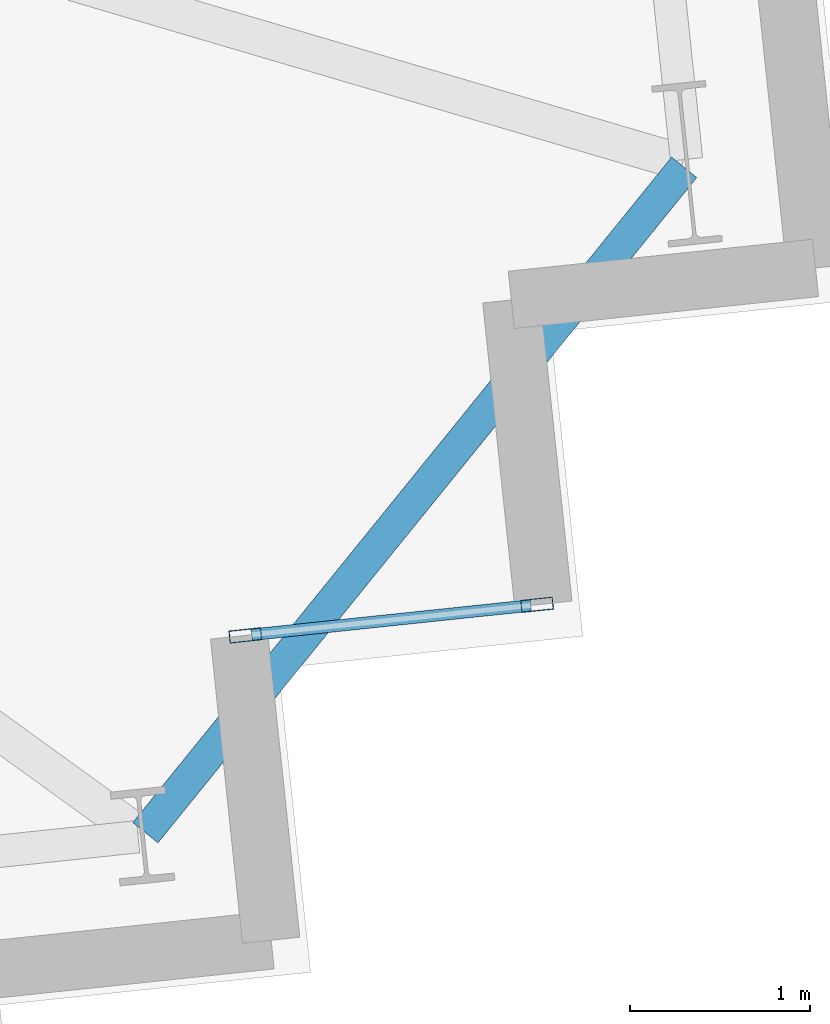
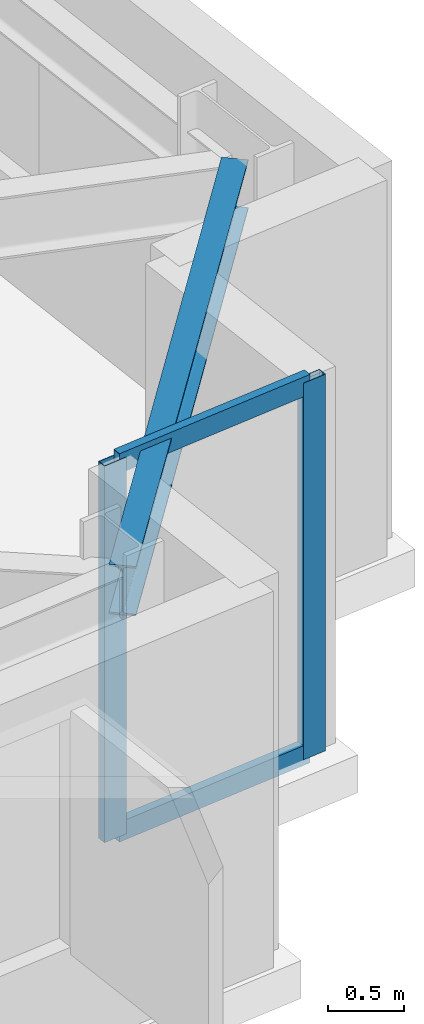
# One storey, part 10 of 22: 4 members, 1 beam, 1 element without a shape of its own.
"""IFC4 building model written with IfcOpenShell, lengths in metres."""

import ifcopenshell
import ifcopenshell.guid

model = None  # the IFC model being written
_history = None  # IfcOwnerHistory: only IFC2X3 demands one
_inside = {}  # id of a spatial element -> (the spatial element, [elements in it])
_under = {}  # id of a project, library or spatial element -> (it, [spatial elements below it])
_declared = {}  # id of a project -> (the project, [libraries it declares])
_typed = {}  # id of a type object -> (the type object, [elements of that type])
_made_of = {}  # id of a material, layer set ... -> (it, [elements and type objects made of it])


def new_model(schema):
    """Start an empty IFC model of exactly this schema.

    Asked for "IFC4X3", IfcOpenShell would pick the latest addendum, in which some entities
    have other attributes; the version numbers below select the first issue.
    IFC2X3 requires an IfcOwnerHistory on every rooted entity: one is made here for all.
    """
    global model, _history
    if schema == "IFC4X3":
        model = ifcopenshell.file(schema_version=(4, 3, 0, 0))
    else:
        model = ifcopenshell.file(schema=schema)
    _inside.clear()
    _under.clear()
    _declared.clear()
    _typed.clear()
    _made_of.clear()
    _history = None
    if model.schema == "IFC2X3":
        org = make("IfcOrganization", Name="unknown")
        user = make(
            "IfcPersonAndOrganization",
            ThePerson=make("IfcPerson", FamilyName="unknown"),
            TheOrganization=org,
        )
        app = make(
            "IfcApplication",
            ApplicationDeveloper=org,
            Version="unknown",
            ApplicationFullName="unknown",
            ApplicationIdentifier="unknown",
        )
        _history = make(
            "IfcOwnerHistory",
            OwningUser=user,
            OwningApplication=app,
            ChangeAction="ADDED",
            CreationDate=0,
        )
    return model


def make(cls, **values):
    """One entity of the class cls with the attributes given. An attribute that is None is left unset."""
    return model.create_entity(
        cls, **{name: value for name, value in values.items() if value is not None}
    )


def rooted(cls, **values):
    """An entity with a GlobalId (a new one), such as an element, a storey or a relation."""
    return make(cls, GlobalId=ifcopenshell.guid.new(), OwnerHistory=_history, **values)


def si_unit(unit_type, name, prefix=None):
    """IfcSIUnit, for example si_unit("LENGTHUNIT", "METRE", prefix="MILLI")."""
    return make("IfcSIUnit", UnitType=unit_type, Prefix=prefix, Name=name)


def assignment(units):
    """IfcUnitAssignment: the units of a project."""
    return None if units is None else make("IfcUnitAssignment", Units=units)


def point(xyz):
    """IfcCartesianPoint."""
    return None if xyz is None else make("IfcCartesianPoint", Coordinates=xyz)


def direction(xyz):
    """IfcDirection."""
    return None if xyz is None else make("IfcDirection", DirectionRatios=xyz)


def frame(location, z_axis=None, x_axis=None):
    """IfcAxis2Placement3D, a coordinate frame: its origin and axes. An axis left out is left unset."""
    return make(
        "IfcAxis2Placement3D",
        Location=point(location),
        Axis=direction(z_axis),
        RefDirection=direction(x_axis),
    )


def frame_2d(location, x_axis=None):
    """IfcAxis2Placement2D, a coordinate frame in the plane: its origin and x axis."""
    return make(
        "IfcAxis2Placement2D", Location=point(location), RefDirection=direction(x_axis)
    )


def origin():
    """The frame at (0, 0, 0) with its axes left unset."""
    return frame((0.0, 0.0, 0.0))


def origin_2d():
    """The frame at (0, 0) in the plane with its x axis left unset."""
    return frame_2d((0.0, 0.0))


def place(relative_to, where):
    """IfcLocalPlacement: puts the frame where relative to a parent placement (None: the world)."""
    return make(
        "IfcLocalPlacement", PlacementRelTo=relative_to, RelativePlacement=where
    )


def context(
    kind, dimensions, precision=None, world=None, true_north=None, identifier=None
):
    """IfcGeometricRepresentationContext, for example the 3D "Model" context."""
    return make(
        "IfcGeometricRepresentationContext",
        ContextIdentifier=identifier,
        ContextType=kind,
        CoordinateSpaceDimension=dimensions,
        Precision=precision,
        WorldCoordinateSystem=world,
        TrueNorth=true_north,
    )


def subcontext(parent, identifier, kind, view, scale=None):
    """IfcGeometricRepresentationSubContext, for example "Body" below "Model"."""
    return make(
        "IfcGeometricRepresentationSubContext",
        ContextIdentifier=identifier,
        ContextType=kind,
        ParentContext=parent,
        TargetScale=scale,
        TargetView=view,
    )


def project(units=None, contexts=None):
    """IfcProject with its units and contexts."""
    return rooted(
        "IfcProject",
        Name="project",
        RepresentationContexts=contexts,
        UnitsInContext=assignment(units),
    )


def spatial(cls, under=None, at=None, **own):
    """A site, building, storey or space (cls), placed at a placement, below another one or the project."""
    s = rooted(cls, ObjectPlacement=at, **own)
    if under is not None:
        _under.setdefault(under.id(), (under, []))[1].append(s)
    return s


def profile(cls, at=None, kind="AREA", **sizes):
    """A parametric profile (cls). Its sizes go by their IFC names, for example OverallWidth=200.0."""
    return make(cls, ProfileType=kind, Position=at, **sizes)


def hollow_rectangle(**sizes):
    """IfcRectangleHollowProfileDef."""
    return profile("IfcRectangleHollowProfileDef", **sizes)


def i_section(**sizes):
    """IfcIShapeProfileDef."""
    return profile("IfcIShapeProfileDef", **sizes)


def extrude(swept, where, along, depth):
    """IfcExtrudedAreaSolid: the profile swept, set in the frame where, extruded along a direction by depth."""
    return make(
        "IfcExtrudedAreaSolid",
        SweptArea=swept,
        Position=where,
        ExtrudedDirection=direction(along),
        Depth=depth,
    )


def shape(context_of_items, identifier, shape_type, items):
    """IfcShapeRepresentation: the items that make up one representation, for example the "Body"."""
    return make(
        "IfcShapeRepresentation",
        ContextOfItems=context_of_items,
        RepresentationIdentifier=identifier,
        RepresentationType=shape_type,
        Items=items,
    )


def material(Name=None, Category=None):
    """IfcMaterial."""
    return make("IfcMaterial", Name=Name, Category=Category)


def layer(
    of_material, thickness, ventilated=None, Name=None, Category=None, Priority=None
):
    """IfcMaterialLayer: one layer of a wall or slab, of a material (None: an air gap)."""
    return make(
        "IfcMaterialLayer",
        Material=of_material,
        LayerThickness=thickness,
        IsVentilated=ventilated,
        Name=Name,
        Category=Category,
        Priority=Priority,
    )


def layer_set(layers, Name=None):
    """IfcMaterialLayerSet."""
    return make("IfcMaterialLayerSet", MaterialLayers=layers, LayerSetName=Name)


def material_profile(
    of_material, cross_section, Name=None, Category=None, Priority=None
):
    """IfcMaterialProfile: a cross section and its material."""
    return make(
        "IfcMaterialProfile",
        Name=Name,
        Material=of_material,
        Profile=cross_section,
        Priority=Priority,
        Category=Category,
    )


def profile_set(profiles, Name=None, composite=None):
    """IfcMaterialProfileSet."""
    return make(
        "IfcMaterialProfileSet",
        Name=Name,
        MaterialProfiles=profiles,
        CompositeProfile=composite,
    )


def made_of(thing, what):
    """Note that an element or type object is made of a material, layer set ...; save() writes the relation."""
    if what is not None:
        _made_of.setdefault(what.id(), (what, []))[1].append(thing)
    return thing


def type_object(cls, material=None, **own):
    """A type object (cls), such as IfcWallType, which elements share."""
    return made_of(rooted(cls, **own), material)


def element(
    cls,
    number,
    at=None,
    inside=None,
    cuts=None,
    type_object=None,
    material=None,
    context=None,
    identifier="Body",
    shape_type=None,
    held_by="IfcProductDefinitionShape",
    body=None,
    shapes=None,
    **own,
):
    """One element of the class cls, such as IfcWall. Its Tag is "e" and its number.

    at: its placement. inside: the storey or other place that contains it. cuts: it is an
    opening in that element (IfcRelVoidsElement). A single representation is given by context,
    identifier, shape_type and body (its items); several are given by shapes. held_by: the class
    of the entity that holds the representations. save() writes the other relations.
    """
    e = rooted(cls, Tag="e%d" % number, ObjectPlacement=at, **own)
    if body is not None:
        shapes = [shape(context, identifier, shape_type, body)]
    if shapes is not None:
        e.Representation = make(held_by, Representations=shapes)
    if inside is not None:
        _inside.setdefault(inside.id(), (inside, []))[1].append(e)
    if cuts is not None:
        rooted(
            "IfcRelVoidsElement", RelatingBuildingElement=cuts, RelatedOpeningElement=e
        )
    if type_object is not None:
        _typed.setdefault(type_object.id(), (type_object, []))[1].append(e)
    return made_of(e, material)


def aggregate(whole, parts):
    """IfcRelAggregates: a whole, such as a stair, and the parts it consists of."""
    return rooted("IfcRelAggregates", RelatingObject=whole, RelatedObjects=parts)


def save(model, path):
    """Write the relations noted so far, then the file.

    IfcRelAggregates (storeys below a building ...), IfcRelContainedInSpatialStructure (elements
    in a storey), IfcRelDefinesByType, IfcRelAssociatesMaterial and IfcRelDeclares: one each for
    every whole, place, type object, material and project.
    """
    for whole, parts in _under.values():
        aggregate(whole, parts)
    for where, things in _inside.values():
        rooted(
            "IfcRelContainedInSpatialStructure",
            RelatedElements=things,
            RelatingStructure=where,
        )
    for kind, things in _typed.values():
        rooted("IfcRelDefinesByType", RelatedObjects=things, RelatingType=kind)
    for what, things in _made_of.values():
        rooted("IfcRelAssociatesMaterial", RelatedObjects=things, RelatingMaterial=what)
    for by, libraries in _declared.values():
        rooted("IfcRelDeclares", RelatingContext=by, RelatedDefinitions=libraries)
    model.write(path)


model = new_model("IFC4")

# Units and contexts
model_context = context("Model", 3, precision=1e-05, world=origin(), true_north=direction((0.0, 1.0)))
body_context = subcontext(model_context, "Body", "Model", "MODEL_VIEW")
ifc_project = project(units=[si_unit("LENGTHUNIT", "METRE"), si_unit("AREAUNIT", "SQUARE_METRE"), si_unit("VOLUMEUNIT", "CUBIC_METRE"), si_unit("PLANEANGLEUNIT", "RADIAN"), si_unit("MASSUNIT", "GRAM", prefix="KILO")], contexts=[model_context])

# Site, building, storey
site_placement = place(None, origin())
site = spatial("IfcSite", under=ifc_project, at=site_placement, CompositionType="ELEMENT")
building_placement = place(site_placement, origin())
building = spatial("IfcBuilding", under=site, at=building_placement, Name="Qobustan Lattice House", CompositionType="ELEMENT")
storey_placement = place(building_placement, frame((0.0, 0.0, 99.10009765625)))
storey = spatial("IfcBuildingStorey", under=building, at=storey_placement, Name="L27", CompositionType="ELEMENT", Elevation=99.10009765625)

# Beam
ifc_material_1 = material(Name="Steel S355", Category="steel")
ifc_material_profile_1 = material_profile(ifc_material_1, i_section(OverallWidth=0.179931640625, OverallDepth=0.39990234375, WebThickness=0.008544921875, FlangeThickness=0.013427734375, FilletRadius=0.02099609375, at=origin_2d()), Name="IPE400")
ifc_profile_set_1 = profile_set([ifc_material_profile_1], Name="Steel S355")
beam_type = type_object("IfcBeamType", Name="BM-SPD-IPE400", PredefinedType="SPANDREL", material=ifc_profile_set_1)
beam_placement = place(storey_placement, frame((29.608642578125, -13.3876953125, 2.844970703125), z_axis=(0.629351720588, 0.777120590252, 0.0), x_axis=(-0.777120590252, 0.629351720588, 0.0)))
element("IfcBeam", 1, at=beam_placement, inside=storey, type_object=beam_type, Name="L27 perimeter spandrel S7-E1", PredefinedType="SPANDREL", context=body_context, shape_type="SweptSolid", body=[
    extrude(i_section(OverallWidth=0.179931640625, OverallDepth=0.39990234375, WebThickness=0.008544921875, FlangeThickness=0.013427734375, FilletRadius=0.02099609375, at=origin_2d()), origin(), (0.0, 0.0, 1.0), 4.75830078125),
])

# Curtain wall, members
ifc_material_2 = material(Name="Anodised aluminium and low-E glazing", Category="aluminium")
ifc_layer = layer(ifc_material_2, 0.219970703125)
ifc_layer_set = layer_set([ifc_layer], Name="Anodised aluminium and low-E glazing")
curtain_wall_type = type_object("IfcCurtainWallType", Name="CW-FAC-01", PredefinedType="USERDEFINED", material=ifc_layer_set)
curtain_wall_placement = place(storey_placement, origin())
curtain_wall = element("IfcCurtainWall", 2, at=curtain_wall_placement, inside=storey, type_object=curtain_wall_type, Name="L27 serrated corner faceted glazing 18", ObjectType="CURTAIN WALL", PredefinedType="USERDEFINED")
ifc_material_3 = material(Name="Anodised aluminium EN AW-6063 T6", Category="aluminium")
ifc_material_profile_2 = material_profile(ifc_material_3, hollow_rectangle(XDim=0.070068359375, YDim=0.179931640625, WallThickness=0.00439453125, at=origin_2d()), Name="CWM-180x70")
ifc_profile_set_2 = profile_set([ifc_material_profile_2], Name="Anodised aluminium EN AW-6063 T6")
member_type_1 = type_object("IfcMemberType", Name="CWM-STD-180", PredefinedType="MULLION", material=ifc_profile_set_2)
member_1_placement = place(storey_placement, frame((31.785400390625, -12.12109375, 0.0), z_axis=(0.0, 0.0, 1.0), x_axis=(0.104528620025, -0.994521878892, 0.0)))
member_1 = element("IfcMember", 3, at=member_1_placement, type_object=member_type_1, Name="CW-F1 mullion 1", PredefinedType="MULLION", context=body_context, shape_type="SweptSolid", body=[
    extrude(hollow_rectangle(XDim=0.070068359375, YDim=0.179931640625, WallThickness=0.00439453125, at=origin_2d()), origin(), (0.0, 0.0, 1.0), 3.044921875),
])
member_2_placement = place(storey_placement, frame((30.164306640625, -12.29150390625, 0.0), z_axis=(0.0, 0.0, 1.0), x_axis=(0.104528620025, -0.994521878892, 0.0)))
member_2 = element("IfcMember", 4, at=member_2_placement, type_object=member_type_1, Name="CW-F1 mullion 2", PredefinedType="MULLION", context=body_context, shape_type="SweptSolid", body=[
    extrude(hollow_rectangle(XDim=0.070068359375, YDim=0.179931640625, WallThickness=0.00439453125, at=origin_2d()), origin(), (0.0, 0.0, 1.0), 3.044921875),
])
ifc_material_4 = material(Name="Anodised aluminium EN AW-6063 T6", Category="aluminium")
ifc_material_profile_3 = material_profile(ifc_material_4, hollow_rectangle(XDim=0.06494140625, YDim=0.159912109375, WallThickness=0.00390625, at=origin_2d()), Name="CWT-160x65")
ifc_profile_set_3 = profile_set([ifc_material_profile_3], Name="Anodised aluminium EN AW-6063 T6")
member_type_2 = type_object("IfcMemberType", Name="CWT-HOR-160", PredefinedType="USERDEFINED", material=ifc_profile_set_3)
member_3_placement = place(storey_placement, frame((31.750732421875, -12.124755859375, 0.032470703125), z_axis=(-0.994520877159, -0.104538150424, 0.0), x_axis=(0.104538150424, -0.994520877159, 0.0)))
member_3 = element("IfcMember", 5, at=member_3_placement, type_object=member_type_2, Name="CW-F1 transom 1.1", ObjectType="TRANSOM", PredefinedType="USERDEFINED", context=body_context, shape_type="SweptSolid", body=[
    extrude(hollow_rectangle(XDim=0.06494140625, YDim=0.159912109375, WallThickness=0.00390625, at=origin_2d()), origin(), (0.0, 0.0, 1.0), 1.56005859375),
])
member_4_placement = place(storey_placement, frame((31.750732421875, -12.124755859375, 3.012451171875), z_axis=(-0.994520877159, -0.104538150424, 0.0), x_axis=(0.104538150424, -0.994520877159, 0.0)))
member_4 = element("IfcMember", 6, at=member_4_placement, type_object=member_type_2, Name="CW-F1 transom 1.2", ObjectType="TRANSOM", PredefinedType="USERDEFINED", context=body_context, shape_type="SweptSolid", body=[
    extrude(hollow_rectangle(XDim=0.06494140625, YDim=0.159912109375, WallThickness=0.00390625, at=origin_2d()), origin(), (0.0, 0.0, 1.0), 1.56005859375),
])
aggregate(curtain_wall, [member_1, member_2, member_3, member_4])

save(model, "model.ifc")
